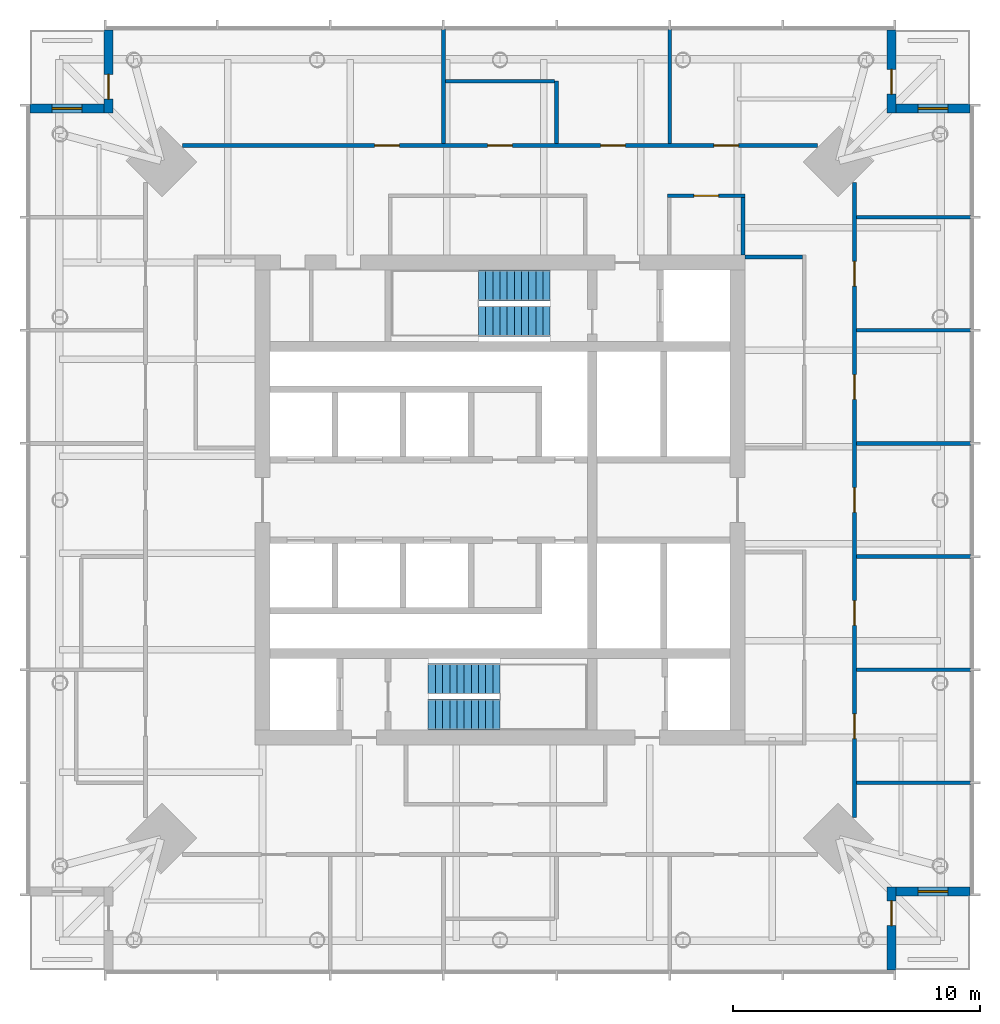
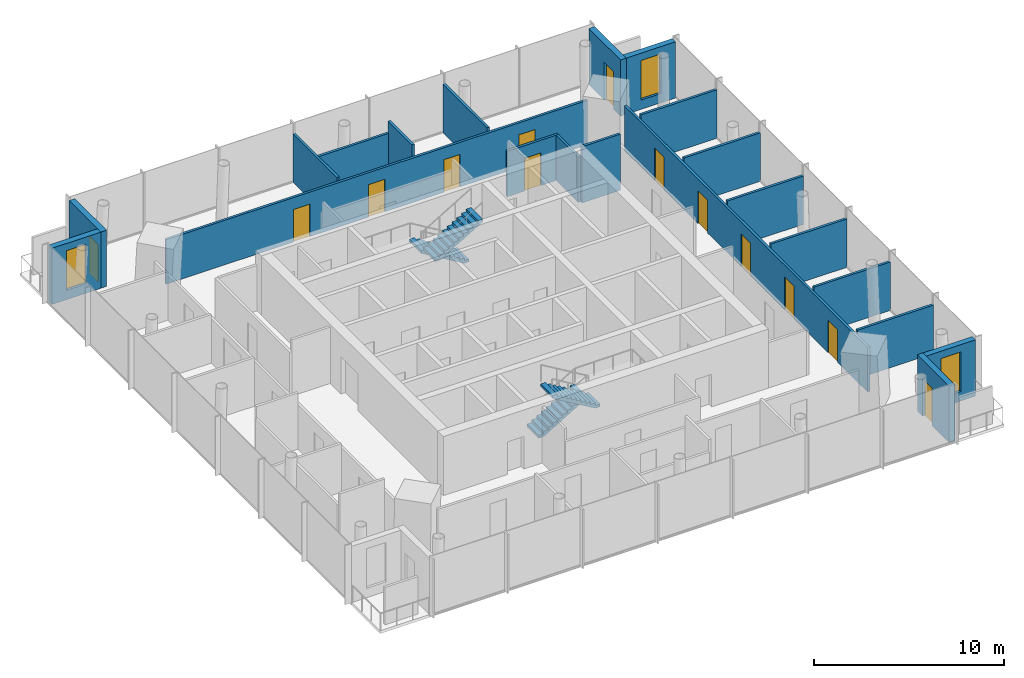
# One storey, part 6 of 7: 21 walls, 13 doors, 4 stair flights, 3 windows, 16 openings, 2 elements without a shape of their own.
"""IFC4 building model written with IfcOpenShell, lengths in metres."""

from ifc_helpers import new_model, si_unit, direction, frame, frame_2d, origin, place, context, subcontext, project, spatial, polyline, rectangle, outline, extrude, material, layer, layer_set, type_object, element, fill, aggregate, save


model = new_model("IFC4")

# Units and contexts
model_context = context("Model", 3, precision=1e-05, world=origin(), true_north=direction((0.0, 1.0)))
body_context = subcontext(model_context, "Body", "Model", "MODEL_VIEW")
ifc_project = project(units=[si_unit("LENGTHUNIT", "METRE"), si_unit("AREAUNIT", "SQUARE_METRE"), si_unit("VOLUMEUNIT", "CUBIC_METRE"), si_unit("PLANEANGLEUNIT", "RADIAN"), si_unit("MASSUNIT", "GRAM", prefix="KILO")], contexts=[model_context])

# Site, building, storey
site_placement = place(None, origin())
site = spatial("IfcSite", under=ifc_project, at=site_placement, CompositionType="ELEMENT")
building_placement = place(site_placement, origin())
building = spatial("IfcBuilding", under=site, at=building_placement, Name="Ostroluk Exchange", CompositionType="ELEMENT")
storey_placement = place(building_placement, frame((0.0, 0.0, 214.800048828125)))
storey = spatial("IfcBuildingStorey", under=building, at=storey_placement, Name="L55", CompositionType="ELEMENT", Elevation=214.800048828125)

# Wall, opening, door
ifc_material_1 = material(Name="Limestone", Category="masonry")
ifc_layer_1 = layer(ifc_material_1, 0.35009765625)
ifc_layer_set_1 = layer_set([ifc_layer_1], Name="Limestone facade wall 350")
wall_type_1 = type_object("IfcWallType", Name="Limestone facade wall 350", PredefinedType="SOLIDWALL", material=ifc_layer_set_1)
wall_1_placement = place(storey_placement, frame((60.824951171875, 27.0, 0.0), z_axis=(0.0, 0.0, 1.0), x_axis=(0.0, 1.0, 0.0)))
wall_1 = element("IfcWall", 1, at=wall_1_placement, inside=storey, type_object=wall_type_1, Name="Office tower SE corner wall L55 a", PredefinedType="SOLIDWALL", context=body_context, shape_type="SweptSolid", body=[
    extrude(rectangle(XDim=3.35009765625, YDim=0.35009765625, at=frame_2d((1.675048828125, 0.0))), origin(), (0.0, 0.0, 1.0), 3.619873046875),
])
opening_1_placement = place(wall_1_placement, frame((1.800048828125, 0.0, 0.0)))
opening_1 = element("IfcOpeningElement", 2, at=opening_1_placement, cuts=wall_1, Name="Opening D-B1", PredefinedType="OPENING", context=body_context, shape_type="SweptSolid", body=[
    extrude(rectangle(XDim=1.0, YDim=2.39990234375, at=frame_2d((0.5, 1.199951171875))), frame((0.0, 0.18505859375, 0.0), z_axis=(0.0, -1.0, 0.0), x_axis=(1.0, 0.0, 0.0)), (0.0, 0.0, 1.0), 0.3701171875),
])
ifc_material_2 = material(Name="Bronze framed glazed door", Category="aluminium")
door_type_1 = type_object("IfcDoorType", Name="Balcony door 1000 x 2400", OperationType="SINGLE_SWING_LEFT", PredefinedType="DOOR", material=ifc_material_2)
door_1_placement = place(opening_1_placement, origin())
door_1 = element("IfcDoor", 3, at=door_1_placement, inside=storey, type_object=door_type_1, Name="Office tower SE balcony door L55", OperationType="SINGLE_SWING_RIGHT", OverallHeight=2.39990234375, OverallWidth=1.0, PredefinedType="DOOR", context=body_context, shape_type="SweptSolid", body=[
    extrude(rectangle(XDim=1.0, YDim=2.39990234375, at=frame_2d((0.5, 1.199951171875))), frame((0.0, 0.02490234375, 0.0), z_axis=(0.0, -1.0, 0.0), x_axis=(1.0, 0.0, 0.0)), (0.0, 0.0, 1.0), 0.050048828125),
])
fill(opening_1, door_1)

# Wall, opening, window
wall_2_placement = place(storey_placement, frame((61.0, 30.175048828125, 0.0), z_axis=(0.0, 0.0, 1.0), x_axis=(1.0, 0.0, 0.0)))
wall_2 = element("IfcWall", 4, at=wall_2_placement, inside=storey, type_object=wall_type_1, Name="Office tower SE corner wall L55 b", PredefinedType="SOLIDWALL", context=body_context, shape_type="SweptSolid", body=[
    extrude(rectangle(XDim=3.0, YDim=0.35009765625, at=frame_2d((1.5, 0.0))), origin(), (0.0, 0.0, 1.0), 3.619873046875),
])
opening_2_placement = place(wall_2_placement, frame((0.89990234375, 0.0, 0.60009765625)))
opening_2 = element("IfcOpeningElement", 5, at=opening_2_placement, cuts=wall_2, Name="Opening WN-L1", PredefinedType="OPENING", context=body_context, shape_type="SweptSolid", body=[
    extrude(rectangle(XDim=1.199951171875, YDim=2.550048828125, at=frame_2d((0.60009765625, 1.27490234375))), frame((0.0, 0.18505859375, 0.0), z_axis=(0.0, -1.0, 0.0), x_axis=(1.0, 0.0, 0.0)), (0.0, 0.0, 1.0), 0.3701171875),
])
ifc_material_3 = material(Name="Laminated clear glass", Category="glass")
window_type = type_object("IfcWindowType", Name="Lancet window 1200 x 2550", PartitioningType="SINGLE_PANEL", PredefinedType="WINDOW", material=ifc_material_3)
window_1_placement = place(opening_2_placement, origin())
window_1 = element("IfcWindow", 6, at=window_1_placement, inside=storey, type_object=window_type, Name="Office tower SE lancet window L55", OverallHeight=2.550048828125, OverallWidth=1.199951171875, PartitioningType="SINGLE_PANEL", PredefinedType="WINDOW", context=body_context, shape_type="SweptSolid", body=[
    extrude(rectangle(XDim=1.199951171875, YDim=2.550048828125, at=frame_2d((0.60009765625, 1.27490234375))), frame((0.0, 0.030029296875, 0.0), z_axis=(0.0, -1.0, 0.0), x_axis=(1.0, 0.0, 0.0)), (0.0, 0.0, 1.0), 0.06005859375),
])
fill(opening_2, window_1)

# Wall, opening, door
wall_3_placement = place(storey_placement, frame((60.824951171875, 65.0, 0.0), z_axis=(0.0, 0.0, 1.0), x_axis=(0.0, -1.0, 0.0)))
wall_3 = element("IfcWall", 7, at=wall_3_placement, inside=storey, type_object=wall_type_1, Name="Office tower NE corner wall L55 a", PredefinedType="SOLIDWALL", context=body_context, shape_type="SweptSolid", body=[
    extrude(rectangle(XDim=3.35009765625, YDim=0.35009765625, at=frame_2d((1.675048828125, 0.0))), origin(), (0.0, 0.0, 1.0), 3.619873046875),
])
opening_3_placement = place(wall_3_placement, frame((1.60009765625, 0.0, 0.0)))
opening_3 = element("IfcOpeningElement", 8, at=opening_3_placement, cuts=wall_3, Name="Opening D-B1", PredefinedType="OPENING", context=body_context, shape_type="SweptSolid", body=[
    extrude(rectangle(XDim=1.0, YDim=2.39990234375, at=frame_2d((0.5, 1.199951171875))), frame((0.0, 0.18505859375, 0.0), z_axis=(0.0, -1.0, 0.0), x_axis=(1.0, 0.0, 0.0)), (0.0, 0.0, 1.0), 0.3701171875),
])
door_2_placement = place(opening_3_placement, origin())
door_2 = element("IfcDoor", 9, at=door_2_placement, inside=storey, type_object=door_type_1, Name="Office tower NE balcony door L55", OperationType="SINGLE_SWING_RIGHT", OverallHeight=2.39990234375, OverallWidth=1.0, PredefinedType="DOOR", context=body_context, shape_type="SweptSolid", body=[
    extrude(rectangle(XDim=1.0, YDim=2.39990234375, at=frame_2d((0.5, 1.199951171875))), frame((0.0, 0.02490234375, 0.0), z_axis=(0.0, -1.0, 0.0), x_axis=(1.0, 0.0, 0.0)), (0.0, 0.0, 1.0), 0.050048828125),
])
fill(opening_3, door_2)

# Wall, opening, window
wall_4_placement = place(storey_placement, frame((61.0, 61.824951171875, 0.0), z_axis=(0.0, 0.0, 1.0), x_axis=(1.0, 0.0, 0.0)))
wall_4 = element("IfcWall", 10, at=wall_4_placement, inside=storey, type_object=wall_type_1, Name="Office tower NE corner wall L55 b", PredefinedType="SOLIDWALL", context=body_context, shape_type="SweptSolid", body=[
    extrude(rectangle(XDim=3.0, YDim=0.35009765625, at=frame_2d((1.5, 0.0))), origin(), (0.0, 0.0, 1.0), 3.619873046875),
])
opening_4_placement = place(wall_4_placement, frame((0.89990234375, 0.0, 0.60009765625)))
opening_4 = element("IfcOpeningElement", 11, at=opening_4_placement, cuts=wall_4, Name="Opening WN-L1", PredefinedType="OPENING", context=body_context, shape_type="SweptSolid", body=[
    extrude(rectangle(XDim=1.199951171875, YDim=2.550048828125, at=frame_2d((0.60009765625, 1.27490234375))), frame((0.0, 0.18505859375, 0.0), z_axis=(0.0, -1.0, 0.0), x_axis=(1.0, 0.0, 0.0)), (0.0, 0.0, 1.0), 0.3701171875),
])
window_2_placement = place(opening_4_placement, origin())
window_2 = element("IfcWindow", 12, at=window_2_placement, inside=storey, type_object=window_type, Name="Office tower NE lancet window L55", OverallHeight=2.550048828125, OverallWidth=1.199951171875, PartitioningType="SINGLE_PANEL", PredefinedType="WINDOW", context=body_context, shape_type="SweptSolid", body=[
    extrude(rectangle(XDim=1.199951171875, YDim=2.550048828125, at=frame_2d((0.60009765625, 1.27490234375))), frame((0.0, 0.030029296875, 0.0), z_axis=(0.0, -1.0, 0.0), x_axis=(1.0, 0.0, 0.0)), (0.0, 0.0, 1.0), 0.06005859375),
])
fill(opening_4, window_2)

# Wall, opening, door
wall_5_placement = place(storey_placement, frame((29.175048828125, 65.0, 0.0), z_axis=(0.0, 0.0, 1.0), x_axis=(0.0, -1.0, 0.0)))
wall_5 = element("IfcWall", 13, at=wall_5_placement, inside=storey, type_object=wall_type_1, Name="Office tower NW corner wall L55 a", PredefinedType="SOLIDWALL", context=body_context, shape_type="SweptSolid", body=[
    extrude(rectangle(XDim=3.35009765625, YDim=0.35009765625, at=frame_2d((1.675048828125, 0.0))), origin(), (0.0, 0.0, 1.0), 3.619873046875),
])
opening_5_placement = place(wall_5_placement, frame((1.800048828125, 0.0, 0.0)))
opening_5 = element("IfcOpeningElement", 14, at=opening_5_placement, cuts=wall_5, Name="Opening D-B1", PredefinedType="OPENING", context=body_context, shape_type="SweptSolid", body=[
    extrude(rectangle(XDim=1.0, YDim=2.39990234375, at=frame_2d((0.5, 1.199951171875))), frame((0.0, 0.18505859375, 0.0), z_axis=(0.0, -1.0, 0.0), x_axis=(1.0, 0.0, 0.0)), (0.0, 0.0, 1.0), 0.3701171875),
])
door_3_placement = place(opening_5_placement, origin())
door_3 = element("IfcDoor", 15, at=door_3_placement, inside=storey, type_object=door_type_1, Name="Office tower NW balcony door L55", OperationType="SINGLE_SWING_RIGHT", OverallHeight=2.39990234375, OverallWidth=1.0, PredefinedType="DOOR", context=body_context, shape_type="SweptSolid", body=[
    extrude(rectangle(XDim=1.0, YDim=2.39990234375, at=frame_2d((0.5, 1.199951171875))), frame((0.0, 0.02490234375, 0.0), z_axis=(0.0, -1.0, 0.0), x_axis=(1.0, 0.0, 0.0)), (0.0, 0.0, 1.0), 0.050048828125),
])
fill(opening_5, door_3)

# Wall, opening, window
wall_6_placement = place(storey_placement, frame((29.0, 61.824951171875, 0.0), z_axis=(0.0, 0.0, 1.0), x_axis=(-1.0, 0.0, 0.0)))
wall_6 = element("IfcWall", 16, at=wall_6_placement, inside=storey, type_object=wall_type_1, Name="Office tower NW corner wall L55 b", PredefinedType="SOLIDWALL", context=body_context, shape_type="SweptSolid", body=[
    extrude(rectangle(XDim=3.0, YDim=0.35009765625, at=frame_2d((1.5, 0.0))), origin(), (0.0, 0.0, 1.0), 3.619873046875),
])
opening_6_placement = place(wall_6_placement, frame((0.89990234375, 0.0, 0.60009765625)))
opening_6 = element("IfcOpeningElement", 17, at=opening_6_placement, cuts=wall_6, Name="Opening WN-L1", PredefinedType="OPENING", context=body_context, shape_type="SweptSolid", body=[
    extrude(rectangle(XDim=1.199951171875, YDim=2.550048828125, at=frame_2d((0.60009765625, 1.27490234375))), frame((0.0, 0.18505859375, 0.0), z_axis=(0.0, -1.0, 0.0), x_axis=(1.0, 0.0, 0.0)), (0.0, 0.0, 1.0), 0.3701171875),
])
window_3_placement = place(opening_6_placement, origin())
window_3 = element("IfcWindow", 18, at=window_3_placement, inside=storey, type_object=window_type, Name="Office tower NW lancet window L55", OverallHeight=2.550048828125, OverallWidth=1.199951171875, PartitioningType="SINGLE_PANEL", PredefinedType="WINDOW", context=body_context, shape_type="SweptSolid", body=[
    extrude(rectangle(XDim=1.199951171875, YDim=2.550048828125, at=frame_2d((0.60009765625, 1.27490234375))), frame((0.0, 0.030029296875, 0.0), z_axis=(0.0, -1.0, 0.0), x_axis=(1.0, 0.0, 0.0)), (0.0, 0.0, 1.0), 0.06005859375),
])
fill(opening_6, window_3)

# Wall
ifc_material_4 = material(Name="Gypsum plasterboard partition", Category="gypsum")
ifc_layer_2 = layer(ifc_material_4, 0.14990234375)
ifc_layer_set_2 = layer_set([ifc_layer_2], Name="Plasterboard partition 150")
wall_type_2 = type_object("IfcWallType", Name="Plasterboard partition 150", PredefinedType="PARTITIONING", material=ifc_layer_set_2)
wall_7_placement = place(storey_placement, frame((54.89990234375, 55.824951171875, 0.0), z_axis=(0.0, 0.0, 1.0), x_axis=(1.0, 0.0, 0.0)))
element("IfcWall", 19, at=wall_7_placement, inside=storey, type_object=wall_type_2, Name="Partition", PredefinedType="PARTITIONING", context=body_context, shape_type="SweptSolid", body=[
    extrude(rectangle(XDim=2.3251953125, YDim=0.14990234375, at=frame_2d((1.16259765625, 0.0))), origin(), (0.0, 0.0, 1.0), 3.619873046875),
])

# Wall, opening, door
wall_8_placement = place(storey_placement, frame((54.89990234375, 58.300048828125, 0.0), z_axis=(0.0, 0.0, 1.0), x_axis=(-1.0, 0.0, 0.0)))
wall_8 = element("IfcWall", 20, at=wall_8_placement, inside=storey, type_object=wall_type_2, Name="Partition", PredefinedType="PARTITIONING", context=body_context, shape_type="SweptSolid", body=[
    extrude(rectangle(XDim=3.135009765625, YDim=0.14990234375, at=frame_2d((1.5673828125, 0.0))), origin(), (0.0, 0.0, 1.0), 2.919921875),
])
opening_7_placement = place(wall_8_placement, frame((1.0673828125, 0.0, 0.0)))
opening_7 = element("IfcOpeningElement", 21, at=opening_7_placement, cuts=wall_8, Name="Opening D-03", PredefinedType="OPENING", context=body_context, shape_type="SweptSolid", body=[
    extrude(rectangle(XDim=1.0, YDim=2.10009765625, at=frame_2d((0.5, 1.050048828125))), frame((0.0, 0.0849609375, 0.0), z_axis=(0.0, -1.0, 0.0), x_axis=(1.0, 0.0, 0.0)), (0.0, 0.0, 1.0), 0.169921875),
])
ifc_material_5 = material(Name="Timber", Category="wood")
door_type_2 = type_object("IfcDoorType", Name="Internal door 1000 x 2100", OperationType="SINGLE_SWING_LEFT", PredefinedType="DOOR", material=ifc_material_5)
door_4_placement = place(opening_7_placement, origin())
door_4 = element("IfcDoor", 22, at=door_4_placement, inside=storey, type_object=door_type_2, Name="Quiet room door", OperationType="SINGLE_SWING_RIGHT", OverallHeight=2.10009765625, OverallWidth=1.0, PredefinedType="DOOR", context=body_context, shape_type="SweptSolid", body=[
    extrude(rectangle(XDim=1.0, YDim=2.10009765625, at=frame_2d((0.5, 1.050048828125))), frame((0.0, 0.02490234375, 0.0), z_axis=(0.0, -1.0, 0.0), x_axis=(1.0, 0.0, 0.0)), (0.0, 0.0, 1.0), 0.050048828125),
])
fill(opening_7, door_4)

# Wall
wall_9_placement = place(storey_placement, frame((54.824951171875, 55.89990234375, 0.0), z_axis=(0.0, 0.0, 1.0), x_axis=(0.0, 1.0, 0.0)))
element("IfcWall", 23, at=wall_9_placement, inside=storey, type_object=wall_type_2, Name="Partition", PredefinedType="PARTITIONING", context=body_context, shape_type="SweptSolid", body=[
    extrude(rectangle(XDim=2.3251953125, YDim=0.14990234375, at=frame_2d((1.16259765625, 0.0))), origin(), (0.0, 0.0, 1.0), 2.919921875),
])

# Wall, openings, doors
wall_10_placement = place(storey_placement, frame((59.324951171875, 33.164306640625, 0.0), z_axis=(0.0, 0.0, 1.0), x_axis=(0.0, 1.0, 0.0)))
wall_10 = element("IfcWall", 24, at=wall_10_placement, inside=storey, type_object=wall_type_2, Name="Partition", PredefinedType="PARTITIONING", context=body_context, shape_type="SweptSolid", body=[
    extrude(rectangle(XDim=25.67138671875, YDim=0.14990234375, at=frame_2d((12.835693359375, 0.0))), origin(), (0.0, 0.0, 1.0), 2.866943359375),
])
opening_8_placement = place(wall_10_placement, frame((3.19287109375, 0.0, 0.0)))
opening_8 = element("IfcOpeningElement", 25, at=opening_8_placement, cuts=wall_10, Name="Opening D-03", PredefinedType="OPENING", context=body_context, shape_type="SweptSolid", body=[
    extrude(rectangle(XDim=1.0, YDim=2.10009765625, at=frame_2d((0.5, 1.050048828125))), frame((0.0, 0.0849609375, 0.0), z_axis=(0.0, -1.0, 0.0), x_axis=(1.0, 0.0, 0.0)), (0.0, 0.0, 1.0), 0.169921875),
])
opening_9_placement = place(wall_10_placement, frame((7.764404296875, 0.0, 0.0)))
opening_9 = element("IfcOpeningElement", 26, at=opening_9_placement, cuts=wall_10, Name="Opening D-03", PredefinedType="OPENING", context=body_context, shape_type="SweptSolid", body=[
    extrude(rectangle(XDim=1.0, YDim=2.10009765625, at=frame_2d((0.5, 1.050048828125))), frame((0.0, 0.0849609375, 0.0), z_axis=(0.0, -1.0, 0.0), x_axis=(1.0, 0.0, 0.0)), (0.0, 0.0, 1.0), 0.169921875),
])
opening_10_placement = place(wall_10_placement, frame((12.335693359375, 0.0, 0.0)))
opening_10 = element("IfcOpeningElement", 27, at=opening_10_placement, cuts=wall_10, Name="Opening D-03", PredefinedType="OPENING", context=body_context, shape_type="SweptSolid", body=[
    extrude(rectangle(XDim=1.0, YDim=2.10009765625, at=frame_2d((0.5, 1.050048828125))), frame((0.0, 0.0849609375, 0.0), z_axis=(0.0, -1.0, 0.0), x_axis=(1.0, 0.0, 0.0)), (0.0, 0.0, 1.0), 0.169921875),
])
opening_11_placement = place(wall_10_placement, frame((16.9072265625, 0.0, 0.0)))
opening_11 = element("IfcOpeningElement", 28, at=opening_11_placement, cuts=wall_10, Name="Opening D-03", PredefinedType="OPENING", context=body_context, shape_type="SweptSolid", body=[
    extrude(rectangle(XDim=1.0, YDim=2.10009765625, at=frame_2d((0.5, 1.050048828125))), frame((0.0, 0.0849609375, 0.0), z_axis=(0.0, -1.0, 0.0), x_axis=(1.0, 0.0, 0.0)), (0.0, 0.0, 1.0), 0.169921875),
])
opening_12_placement = place(wall_10_placement, frame((21.478759765625, 0.0, 0.0)))
opening_12 = element("IfcOpeningElement", 29, at=opening_12_placement, cuts=wall_10, Name="Opening D-03", PredefinedType="OPENING", context=body_context, shape_type="SweptSolid", body=[
    extrude(rectangle(XDim=1.0, YDim=2.10009765625, at=frame_2d((0.5, 1.050048828125))), frame((0.0, 0.0849609375, 0.0), z_axis=(0.0, -1.0, 0.0), x_axis=(1.0, 0.0, 0.0)), (0.0, 0.0, 1.0), 0.169921875),
])
door_5_placement = place(opening_8_placement, origin())
door_5 = element("IfcDoor", 30, at=door_5_placement, inside=storey, type_object=door_type_2, Name="Office door", OperationType="SINGLE_SWING_LEFT", OverallHeight=2.10009765625, OverallWidth=1.0, PredefinedType="DOOR", context=body_context, shape_type="SweptSolid", body=[
    extrude(rectangle(XDim=1.0, YDim=2.10009765625, at=frame_2d((0.5, 1.050048828125))), frame((0.0, 0.02490234375, 0.0), z_axis=(0.0, -1.0, 0.0), x_axis=(1.0, 0.0, 0.0)), (0.0, 0.0, 1.0), 0.050048828125),
])
fill(opening_8, door_5)
door_6_placement = place(opening_9_placement, origin())
door_6 = element("IfcDoor", 31, at=door_6_placement, inside=storey, type_object=door_type_2, Name="Office door", OperationType="SINGLE_SWING_LEFT", OverallHeight=2.10009765625, OverallWidth=1.0, PredefinedType="DOOR", context=body_context, shape_type="SweptSolid", body=[
    extrude(rectangle(XDim=1.0, YDim=2.10009765625, at=frame_2d((0.5, 1.050048828125))), frame((0.0, 0.02490234375, 0.0), z_axis=(0.0, -1.0, 0.0), x_axis=(1.0, 0.0, 0.0)), (0.0, 0.0, 1.0), 0.050048828125),
])
fill(opening_9, door_6)
door_7_placement = place(opening_10_placement, origin())
door_7 = element("IfcDoor", 32, at=door_7_placement, inside=storey, type_object=door_type_2, Name="Meeting room door", OperationType="SINGLE_SWING_LEFT", OverallHeight=2.10009765625, OverallWidth=1.0, PredefinedType="DOOR", context=body_context, shape_type="SweptSolid", body=[
    extrude(rectangle(XDim=1.0, YDim=2.10009765625, at=frame_2d((0.5, 1.050048828125))), frame((0.0, 0.02490234375, 0.0), z_axis=(0.0, -1.0, 0.0), x_axis=(1.0, 0.0, 0.0)), (0.0, 0.0, 1.0), 0.050048828125),
])
fill(opening_10, door_7)
door_8_placement = place(opening_11_placement, origin())
door_8 = element("IfcDoor", 33, at=door_8_placement, inside=storey, type_object=door_type_2, Name="Office door", OperationType="SINGLE_SWING_RIGHT", OverallHeight=2.10009765625, OverallWidth=1.0, PredefinedType="DOOR", context=body_context, shape_type="SweptSolid", body=[
    extrude(rectangle(XDim=1.0, YDim=2.10009765625, at=frame_2d((0.5, 1.050048828125))), frame((0.0, 0.02490234375, 0.0), z_axis=(0.0, -1.0, 0.0), x_axis=(1.0, 0.0, 0.0)), (0.0, 0.0, 1.0), 0.050048828125),
])
fill(opening_11, door_8)
door_9_placement = place(opening_12_placement, origin())
door_9 = element("IfcDoor", 34, at=door_9_placement, inside=storey, type_object=door_type_2, Name="Office door", OperationType="SINGLE_SWING_RIGHT", OverallHeight=2.10009765625, OverallWidth=1.0, PredefinedType="DOOR", context=body_context, shape_type="SweptSolid", body=[
    extrude(rectangle(XDim=1.0, YDim=2.10009765625, at=frame_2d((0.5, 1.050048828125))), frame((0.0, 0.02490234375, 0.0), z_axis=(0.0, -1.0, 0.0), x_axis=(1.0, 0.0, 0.0)), (0.0, 0.0, 1.0), 0.050048828125),
])
fill(opening_12, door_9)

# Walls
for number, where, z_axis, x_axis, name in (
    (35, (59.39990234375, 34.571533203125, 0.0), (0.0, 0.0, 1.0), (1.0, 0.0, 0.0), "Partition"),
    (36, (59.39990234375, 39.142822265625, 0.0), (0.0, 0.0, 1.0), (1.0, 0.0, 0.0), "Partition"),
    (37, (59.39990234375, 43.71435546875, 0.0), (0.0, 0.0, 1.0), (1.0, 0.0, 0.0), "Partition"),
    (38, (59.39990234375, 48.28564453125, 0.0), (0.0, 0.0, 1.0), (1.0, 0.0, 0.0), "Partition"),
    (39, (59.39990234375, 52.857177734375, 0.0), (0.0, 0.0, 1.0), (1.0, 0.0, 0.0), "Partition"),
    (40, (59.39990234375, 57.428466796875, 0.0), (0.0, 0.0, 1.0), (1.0, 0.0, 0.0), "Partition"),
):
    element("IfcWall", number, at=place(storey_placement, frame(where, z_axis=z_axis, x_axis=x_axis)), inside=storey, type_object=wall_type_2, Name=name, PredefinedType="PARTITIONING", context=body_context, shape_type="SweptSolid", body=[
        extrude(rectangle(XDim=4.64013671875, YDim=0.14990234375, at=frame_2d((2.320068359375, 0.0))), origin(), (0.0, 0.0, 1.0), 3.119873046875),
    ])
wall_11_placement = place(storey_placement, frame((47.210693359375, 62.925048828125, 0.0), z_axis=(0.0, 0.0, 1.0), x_axis=(-1.0, 0.0, 0.0)))
element("IfcWall", 41, at=wall_11_placement, inside=storey, type_object=wall_type_2, Name="Partition", PredefinedType="PARTITIONING", context=body_context, shape_type="SweptSolid", body=[
    extrude(rectangle(XDim=4.42138671875, YDim=0.14990234375, at=frame_2d((2.210693359375, 0.0))), origin(), (0.0, 0.0, 1.0), 2.866943359375),
])

# Wall, openings, doors
wall_12_placement = place(storey_placement, frame((57.835693359375, 60.324951171875, 0.0), z_axis=(0.0, 0.0, 1.0), x_axis=(-1.0, 0.0, 0.0)))
wall_12 = element("IfcWall", 42, at=wall_12_placement, inside=storey, type_object=wall_type_2, Name="Partition", PredefinedType="PARTITIONING", context=body_context, shape_type="SweptSolid", body=[
    extrude(rectangle(XDim=25.67138671875, YDim=0.14990234375, at=frame_2d((12.835693359375, 0.0))), origin(), (0.0, 0.0, 1.0), 2.866943359375),
])
opening_13_placement = place(wall_12_placement, frame((3.19287109375, 0.0, 0.0)))
opening_13 = element("IfcOpeningElement", 43, at=opening_13_placement, cuts=wall_12, Name="Opening D-03", PredefinedType="OPENING", context=body_context, shape_type="SweptSolid", body=[
    extrude(rectangle(XDim=1.0, YDim=2.10009765625, at=frame_2d((0.5, 1.050048828125))), frame((0.0, 0.0849609375, 0.0), z_axis=(0.0, -1.0, 0.0), x_axis=(1.0, 0.0, 0.0)), (0.0, 0.0, 1.0), 0.169921875),
])
opening_14_placement = place(wall_12_placement, frame((7.764404296875, 0.0, 0.0)))
opening_14 = element("IfcOpeningElement", 44, at=opening_14_placement, cuts=wall_12, Name="Opening D-03", PredefinedType="OPENING", context=body_context, shape_type="SweptSolid", body=[
    extrude(rectangle(XDim=1.0, YDim=2.10009765625, at=frame_2d((0.5, 1.050048828125))), frame((0.0, 0.0849609375, 0.0), z_axis=(0.0, -1.0, 0.0), x_axis=(1.0, 0.0, 0.0)), (0.0, 0.0, 1.0), 0.169921875),
])
opening_15_placement = place(wall_12_placement, frame((12.335693359375, 0.0, 0.0)))
opening_15 = element("IfcOpeningElement", 45, at=opening_15_placement, cuts=wall_12, Name="Opening D-03", PredefinedType="OPENING", context=body_context, shape_type="SweptSolid", body=[
    extrude(rectangle(XDim=1.0, YDim=2.10009765625, at=frame_2d((0.5, 1.050048828125))), frame((0.0, 0.0849609375, 0.0), z_axis=(0.0, -1.0, 0.0), x_axis=(1.0, 0.0, 0.0)), (0.0, 0.0, 1.0), 0.169921875),
])
opening_16_placement = place(wall_12_placement, frame((16.9072265625, 0.0, 0.0)))
opening_16 = element("IfcOpeningElement", 46, at=opening_16_placement, cuts=wall_12, Name="Opening D-03", PredefinedType="OPENING", context=body_context, shape_type="SweptSolid", body=[
    extrude(rectangle(XDim=1.0, YDim=2.10009765625, at=frame_2d((0.5, 1.050048828125))), frame((0.0, 0.0849609375, 0.0), z_axis=(0.0, -1.0, 0.0), x_axis=(1.0, 0.0, 0.0)), (0.0, 0.0, 1.0), 0.169921875),
])
door_10_placement = place(opening_13_placement, origin())
door_10 = element("IfcDoor", 47, at=door_10_placement, inside=storey, type_object=door_type_2, Name="Office suite door", OperationType="SINGLE_SWING_LEFT", OverallHeight=2.10009765625, OverallWidth=1.0, PredefinedType="DOOR", context=body_context, shape_type="SweptSolid", body=[
    extrude(rectangle(XDim=1.0, YDim=2.10009765625, at=frame_2d((0.5, 1.050048828125))), frame((0.0, 0.02490234375, 0.0), z_axis=(0.0, -1.0, 0.0), x_axis=(1.0, 0.0, 0.0)), (0.0, 0.0, 1.0), 0.050048828125),
])
fill(opening_13, door_10)
door_11_placement = place(opening_14_placement, origin())
door_11 = element("IfcDoor", 48, at=door_11_placement, inside=storey, type_object=door_type_2, Name="Office door", OperationType="SINGLE_SWING_LEFT", OverallHeight=2.10009765625, OverallWidth=1.0, PredefinedType="DOOR", context=body_context, shape_type="SweptSolid", body=[
    extrude(rectangle(XDim=1.0, YDim=2.10009765625, at=frame_2d((0.5, 1.050048828125))), frame((0.0, 0.02490234375, 0.0), z_axis=(0.0, -1.0, 0.0), x_axis=(1.0, 0.0, 0.0)), (0.0, 0.0, 1.0), 0.050048828125),
])
fill(opening_14, door_11)
door_12_placement = place(opening_15_placement, origin())
door_12 = element("IfcDoor", 49, at=door_12_placement, inside=storey, type_object=door_type_2, Name="Pantry door", OperationType="SINGLE_SWING_LEFT", OverallHeight=2.10009765625, OverallWidth=1.0, PredefinedType="DOOR", context=body_context, shape_type="SweptSolid", body=[
    extrude(rectangle(XDim=1.0, YDim=2.10009765625, at=frame_2d((0.5, 1.050048828125))), frame((0.0, 0.02490234375, 0.0), z_axis=(0.0, -1.0, 0.0), x_axis=(1.0, 0.0, 0.0)), (0.0, 0.0, 1.0), 0.050048828125),
])
fill(opening_15, door_12)
door_13_placement = place(opening_16_placement, origin())
door_13 = element("IfcDoor", 50, at=door_13_placement, inside=storey, type_object=door_type_2, Name="Office door", OperationType="SINGLE_SWING_RIGHT", OverallHeight=2.10009765625, OverallWidth=1.0, PredefinedType="DOOR", context=body_context, shape_type="SweptSolid", body=[
    extrude(rectangle(XDim=1.0, YDim=2.10009765625, at=frame_2d((0.5, 1.050048828125))), frame((0.0, 0.02490234375, 0.0), z_axis=(0.0, -1.0, 0.0), x_axis=(1.0, 0.0, 0.0)), (0.0, 0.0, 1.0), 0.050048828125),
])
fill(opening_16, door_13)

# Walls
wall_13_placement = place(storey_placement, frame((51.857177734375, 60.39990234375, 0.0), z_axis=(0.0, 0.0, 1.0), x_axis=(0.0, 1.0, 0.0)))
element("IfcWall", 51, at=wall_13_placement, inside=storey, type_object=wall_type_2, Name="Partition", PredefinedType="PARTITIONING", context=body_context, shape_type="SweptSolid", body=[
    extrude(rectangle(XDim=4.64013671875, YDim=0.14990234375, at=frame_2d((2.320068359375, 0.0))), origin(), (0.0, 0.0, 1.0), 3.119873046875),
])
wall_14_placement = place(storey_placement, frame((47.28564453125, 60.39990234375, 0.0), z_axis=(0.0, 0.0, 1.0), x_axis=(0.0, 1.0, 0.0)))
element("IfcWall", 52, at=wall_14_placement, inside=storey, type_object=wall_type_2, Name="Partition", PredefinedType="PARTITIONING", context=body_context, shape_type="SweptSolid", body=[
    extrude(rectangle(XDim=2.525146484375, YDim=0.14990234375, at=frame_2d((1.2626953125, 0.0))), origin(), (0.0, 0.0, 1.0), 3.619873046875),
])
wall_15_placement = place(storey_placement, frame((42.71435546875, 60.39990234375, 0.0), z_axis=(0.0, 0.0, 1.0), x_axis=(0.0, 1.0, 0.0)))
element("IfcWall", 53, at=wall_15_placement, inside=storey, type_object=wall_type_2, Name="Partition", PredefinedType="PARTITIONING", context=body_context, shape_type="SweptSolid", body=[
    extrude(rectangle(XDim=4.64013671875, YDim=0.14990234375, at=frame_2d((2.320068359375, 0.0))), origin(), (0.0, 0.0, 1.0), 3.119873046875),
])

# Stair, stair flights
ifc_material_6 = material(Name="Concrete C30/37", Category="concrete")
stair_type = type_object("IfcStairType", Name="Exit stair half turn 3800", PredefinedType="HALF_TURN_STAIR", material=ifc_material_6)
stair_1_placement = place(storey_placement, origin())
stair_1 = element("IfcStair", 54, at=stair_1_placement, inside=storey, type_object=stair_type, Name="Stair T1-S1 L55", PredefinedType="HALF_TURN_STAIR")
ifc_material_7 = material(Name="Concrete C30/37", Category="concrete")
stair_flight_type = type_object("IfcStairFlightType", Name="Stair flight 11 risers 172.7 x 290", PredefinedType="STRAIGHT", material=ifc_material_7)
stair_flight_1_placement = place(storey_placement, frame((42.10009765625, 38.77490234375, 0.0), z_axis=(0.0, 0.0, 1.0), x_axis=(1.0, 0.0, 0.0)))
stair_flight_1 = element("IfcStairFlight", 55, at=stair_flight_1_placement, type_object=stair_flight_type, Name="T1-S1 flight 1", NumberOfRisers=11, NumberOfTreads=10, PredefinedType="STRAIGHT", RiserHeight=0.172727273, TreadLength=0.29, context=body_context, shape_type="SweptSolid", body=[
    extrude(outline(polyline([(0.0, 0.0), (0.0, 0.172607421875), (0.2900390625, 0.172607421875), (0.2900390625, 0.345458984375), (0.580078125, 0.345458984375), (0.580078125, 0.51806640625), (0.8701171875, 0.51806640625), (0.8701171875, 0.69091796875), (1.159912109375, 0.69091796875), (1.159912109375, 0.863525390625), (1.449951171875, 0.863525390625), (1.449951171875, 1.036376953125), (1.739990234375, 1.036376953125), (1.739990234375, 1.208984375), (2.030029296875, 1.208984375), (2.030029296875, 1.3818359375), (2.320068359375, 1.3818359375), (2.320068359375, 1.554443359375), (2.610107421875, 1.554443359375), (2.610107421875, 1.727294921875), (2.89990234375, 1.727294921875), (2.89990234375, 1.89990234375), (2.89990234375, 1.552734375), (0.29296875, 0.0), (0.0, 0.0)])), frame((0.0, 0.625, 0.0), z_axis=(0.0, -1.0, 0.0), x_axis=(1.0, 0.0, 0.0)), (0.0, 0.0, 1.0), 1.25),
])
stair_flight_2_placement = place(storey_placement, frame((45.0, 37.324951171875, 1.89990234375), z_axis=(0.0, 0.0, 1.0), x_axis=(-1.0, 0.0, 0.0)))
stair_flight_2 = element("IfcStairFlight", 56, at=stair_flight_2_placement, type_object=stair_flight_type, Name="T1-S1 flight 2", NumberOfRisers=11, NumberOfTreads=10, PredefinedType="STRAIGHT", RiserHeight=0.172727273, TreadLength=0.29, context=body_context, shape_type="SweptSolid", body=[
    extrude(outline(polyline([(0.0, 0.0), (0.0, 0.172607421875), (0.2900390625, 0.172607421875), (0.2900390625, 0.345458984375), (0.580078125, 0.345458984375), (0.580078125, 0.51806640625), (0.8701171875, 0.51806640625), (0.8701171875, 0.69091796875), (1.159912109375, 0.69091796875), (1.159912109375, 0.863525390625), (1.449951171875, 0.863525390625), (1.449951171875, 1.036376953125), (1.739990234375, 1.036376953125), (1.739990234375, 1.208984375), (2.030029296875, 1.208984375), (2.030029296875, 1.3818359375), (2.320068359375, 1.3818359375), (2.320068359375, 1.554443359375), (2.610107421875, 1.554443359375), (2.610107421875, 1.727294921875), (2.89990234375, 1.727294921875), (2.89990234375, 1.89990234375), (2.89990234375, 1.552734375), (0.29296875, 0.0), (0.0, 0.0)])), frame((0.0, 0.625, 0.0), z_axis=(0.0, -1.0, 0.0), x_axis=(1.0, 0.0, 0.0)), (0.0, 0.0, 1.0), 1.25),
])
aggregate(stair_1, [stair_flight_1, stair_flight_2])

stair_2_placement = place(storey_placement, origin())
stair_2 = element("IfcStair", 57, at=stair_2_placement, inside=storey, type_object=stair_type, Name="Stair T1-S2 L55", PredefinedType="HALF_TURN_STAIR")
stair_flight_3_placement = place(storey_placement, frame((47.030029296875, 54.675048828125, 0.0), z_axis=(0.0, 0.0, 1.0), x_axis=(-1.0, 0.0, 0.0)))
stair_flight_3 = element("IfcStairFlight", 58, at=stair_flight_3_placement, type_object=stair_flight_type, Name="T1-S2 flight 1", NumberOfRisers=11, NumberOfTreads=10, PredefinedType="STRAIGHT", RiserHeight=0.172727273, TreadLength=0.29, context=body_context, shape_type="SweptSolid", body=[
    extrude(outline(polyline([(0.0, 0.0), (0.0, 0.172607421875), (0.2900390625, 0.172607421875), (0.2900390625, 0.345458984375), (0.580078125, 0.345458984375), (0.580078125, 0.51806640625), (0.8701171875, 0.51806640625), (0.8701171875, 0.69091796875), (1.159912109375, 0.69091796875), (1.159912109375, 0.863525390625), (1.449951171875, 0.863525390625), (1.449951171875, 1.036376953125), (1.739990234375, 1.036376953125), (1.739990234375, 1.208984375), (2.030029296875, 1.208984375), (2.030029296875, 1.3818359375), (2.320068359375, 1.3818359375), (2.320068359375, 1.554443359375), (2.610107421875, 1.554443359375), (2.610107421875, 1.727294921875), (2.89990234375, 1.727294921875), (2.89990234375, 1.89990234375), (2.89990234375, 1.552734375), (0.29296875, 0.0), (0.0, 0.0)])), frame((0.0, 0.625, 0.0), z_axis=(0.0, -1.0, 0.0), x_axis=(1.0, 0.0, 0.0)), (0.0, 0.0, 1.0), 1.25),
])
stair_flight_4_placement = place(storey_placement, frame((44.1298828125, 53.22509765625, 1.89990234375), z_axis=(0.0, 0.0, 1.0), x_axis=(1.0, 0.0, 0.0)))
stair_flight_4 = element("IfcStairFlight", 59, at=stair_flight_4_placement, type_object=stair_flight_type, Name="T1-S2 flight 2", NumberOfRisers=11, NumberOfTreads=10, PredefinedType="STRAIGHT", RiserHeight=0.172727273, TreadLength=0.29, context=body_context, shape_type="SweptSolid", body=[
    extrude(outline(polyline([(0.0, 0.0), (0.0, 0.172607421875), (0.2900390625, 0.172607421875), (0.2900390625, 0.345458984375), (0.580078125, 0.345458984375), (0.580078125, 0.51806640625), (0.8701171875, 0.51806640625), (0.8701171875, 0.69091796875), (1.159912109375, 0.69091796875), (1.159912109375, 0.863525390625), (1.449951171875, 0.863525390625), (1.449951171875, 1.036376953125), (1.739990234375, 1.036376953125), (1.739990234375, 1.208984375), (2.030029296875, 1.208984375), (2.030029296875, 1.3818359375), (2.320068359375, 1.3818359375), (2.320068359375, 1.554443359375), (2.610107421875, 1.554443359375), (2.610107421875, 1.727294921875), (2.89990234375, 1.727294921875), (2.89990234375, 1.89990234375), (2.89990234375, 1.552734375), (0.29296875, 0.0), (0.0, 0.0)])), frame((0.0, 0.625, 0.0), z_axis=(0.0, -1.0, 0.0), x_axis=(1.0, 0.0, 0.0)), (0.0, 0.0, 1.0), 1.25),
])
aggregate(stair_2, [stair_flight_3, stair_flight_4])

save(model, "model.ifc")
